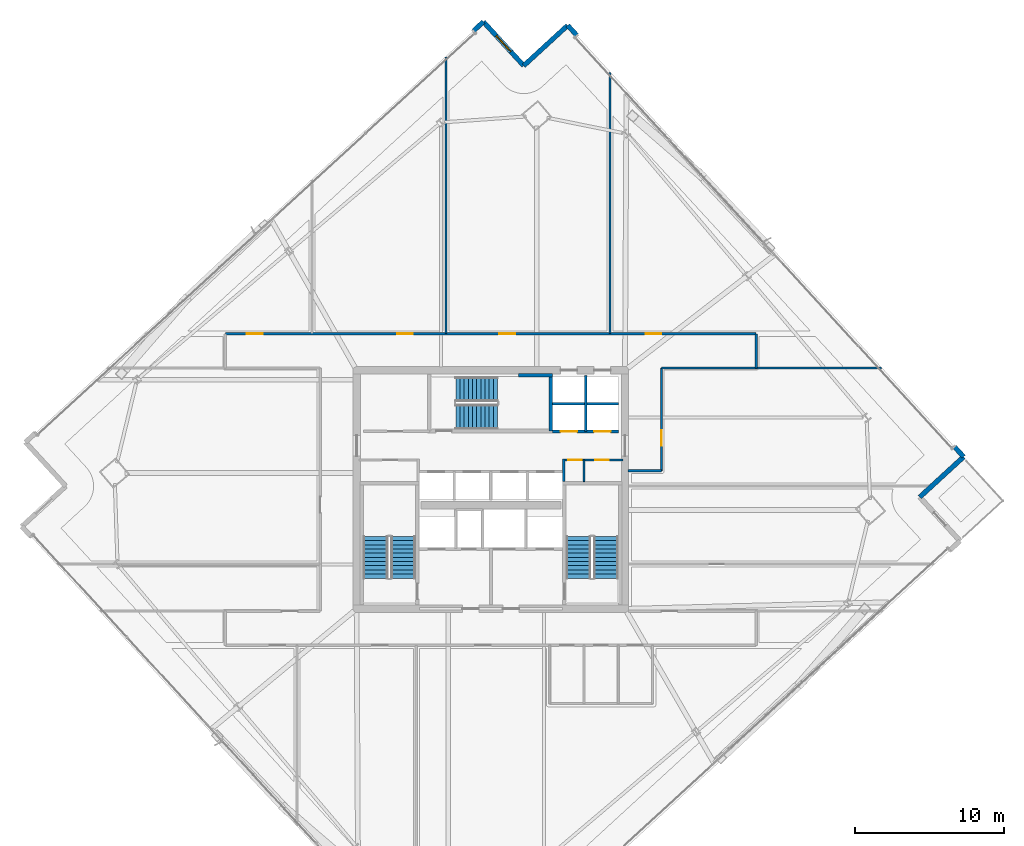
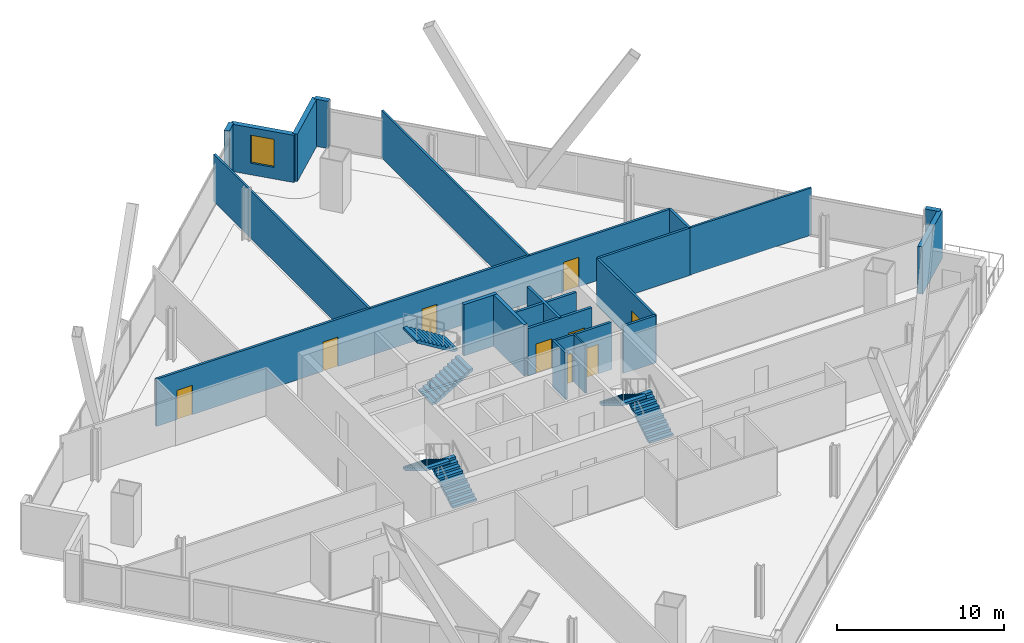
# One storey, part 27 of 32: 22 walls, 9 doors, 6 stair flights, 1 window, 10 openings, 3 elements without a shape of their own.
"""IFC4 building model written with IfcOpenShell, lengths in metres."""

import ifcopenshell
import ifcopenshell.guid

model = None  # the IFC model being written
_history = None  # IfcOwnerHistory: only IFC2X3 demands one
_inside = {}  # id of a spatial element -> (the spatial element, [elements in it])
_under = {}  # id of a project, library or spatial element -> (it, [spatial elements below it])
_declared = {}  # id of a project -> (the project, [libraries it declares])
_typed = {}  # id of a type object -> (the type object, [elements of that type])
_made_of = {}  # id of a material, layer set ... -> (it, [elements and type objects made of it])


def new_model(schema):
    """Start an empty IFC model of exactly this schema.

    Asked for "IFC4X3", IfcOpenShell would pick the latest addendum, in which some entities
    have other attributes; the version numbers below select the first issue.
    IFC2X3 requires an IfcOwnerHistory on every rooted entity: one is made here for all.
    """
    global model, _history
    if schema == "IFC4X3":
        model = ifcopenshell.file(schema_version=(4, 3, 0, 0))
    else:
        model = ifcopenshell.file(schema=schema)
    _inside.clear()
    _under.clear()
    _declared.clear()
    _typed.clear()
    _made_of.clear()
    _history = None
    if model.schema == "IFC2X3":
        org = make("IfcOrganization", Name="unknown")
        user = make(
            "IfcPersonAndOrganization",
            ThePerson=make("IfcPerson", FamilyName="unknown"),
            TheOrganization=org,
        )
        app = make(
            "IfcApplication",
            ApplicationDeveloper=org,
            Version="unknown",
            ApplicationFullName="unknown",
            ApplicationIdentifier="unknown",
        )
        _history = make(
            "IfcOwnerHistory",
            OwningUser=user,
            OwningApplication=app,
            ChangeAction="ADDED",
            CreationDate=0,
        )
    return model


def make(cls, **values):
    """One entity of the class cls with the attributes given. An attribute that is None is left unset."""
    return model.create_entity(
        cls, **{name: value for name, value in values.items() if value is not None}
    )


def rooted(cls, **values):
    """An entity with a GlobalId (a new one), such as an element, a storey or a relation."""
    return make(cls, GlobalId=ifcopenshell.guid.new(), OwnerHistory=_history, **values)


def si_unit(unit_type, name, prefix=None):
    """IfcSIUnit, for example si_unit("LENGTHUNIT", "METRE", prefix="MILLI")."""
    return make("IfcSIUnit", UnitType=unit_type, Prefix=prefix, Name=name)


def assignment(units):
    """IfcUnitAssignment: the units of a project."""
    return None if units is None else make("IfcUnitAssignment", Units=units)


def point(xyz):
    """IfcCartesianPoint."""
    return None if xyz is None else make("IfcCartesianPoint", Coordinates=xyz)


def direction(xyz):
    """IfcDirection."""
    return None if xyz is None else make("IfcDirection", DirectionRatios=xyz)


def frame(location, z_axis=None, x_axis=None):
    """IfcAxis2Placement3D, a coordinate frame: its origin and axes. An axis left out is left unset."""
    return make(
        "IfcAxis2Placement3D",
        Location=point(location),
        Axis=direction(z_axis),
        RefDirection=direction(x_axis),
    )


def frame_2d(location, x_axis=None):
    """IfcAxis2Placement2D, a coordinate frame in the plane: its origin and x axis."""
    return make(
        "IfcAxis2Placement2D", Location=point(location), RefDirection=direction(x_axis)
    )


def origin():
    """The frame at (0, 0, 0) with its axes left unset."""
    return frame((0.0, 0.0, 0.0))


def place(relative_to, where):
    """IfcLocalPlacement: puts the frame where relative to a parent placement (None: the world)."""
    return make(
        "IfcLocalPlacement", PlacementRelTo=relative_to, RelativePlacement=where
    )


def context(
    kind, dimensions, precision=None, world=None, true_north=None, identifier=None
):
    """IfcGeometricRepresentationContext, for example the 3D "Model" context."""
    return make(
        "IfcGeometricRepresentationContext",
        ContextIdentifier=identifier,
        ContextType=kind,
        CoordinateSpaceDimension=dimensions,
        Precision=precision,
        WorldCoordinateSystem=world,
        TrueNorth=true_north,
    )


def subcontext(parent, identifier, kind, view, scale=None):
    """IfcGeometricRepresentationSubContext, for example "Body" below "Model"."""
    return make(
        "IfcGeometricRepresentationSubContext",
        ContextIdentifier=identifier,
        ContextType=kind,
        ParentContext=parent,
        TargetScale=scale,
        TargetView=view,
    )


def project(units=None, contexts=None):
    """IfcProject with its units and contexts."""
    return rooted(
        "IfcProject",
        Name="project",
        RepresentationContexts=contexts,
        UnitsInContext=assignment(units),
    )


def spatial(cls, under=None, at=None, **own):
    """A site, building, storey or space (cls), placed at a placement, below another one or the project."""
    s = rooted(cls, ObjectPlacement=at, **own)
    if under is not None:
        _under.setdefault(under.id(), (under, []))[1].append(s)
    return s


def polyline(points):
    """IfcPolyline through the points."""
    return make("IfcPolyline", Points=[point(p) for p in points])


def profile(cls, at=None, kind="AREA", **sizes):
    """A parametric profile (cls). Its sizes go by their IFC names, for example OverallWidth=200.0."""
    return make(cls, ProfileType=kind, Position=at, **sizes)


def rectangle(**sizes):
    """IfcRectangleProfileDef."""
    return profile("IfcRectangleProfileDef", **sizes)


def outline(outer, holes=None, kind="AREA"):
    """IfcArbitraryClosedProfileDef: a profile drawn as a closed curve; with holes, ...WithVoids."""
    if holes is None:
        return make("IfcArbitraryClosedProfileDef", ProfileType=kind, OuterCurve=outer)
    return make(
        "IfcArbitraryProfileDefWithVoids",
        ProfileType=kind,
        OuterCurve=outer,
        InnerCurves=holes,
    )


def extrude(swept, where, along, depth):
    """IfcExtrudedAreaSolid: the profile swept, set in the frame where, extruded along a direction by depth."""
    return make(
        "IfcExtrudedAreaSolid",
        SweptArea=swept,
        Position=where,
        ExtrudedDirection=direction(along),
        Depth=depth,
    )


def shape(context_of_items, identifier, shape_type, items):
    """IfcShapeRepresentation: the items that make up one representation, for example the "Body"."""
    return make(
        "IfcShapeRepresentation",
        ContextOfItems=context_of_items,
        RepresentationIdentifier=identifier,
        RepresentationType=shape_type,
        Items=items,
    )


def material(Name=None, Category=None):
    """IfcMaterial."""
    return make("IfcMaterial", Name=Name, Category=Category)


def layer(
    of_material, thickness, ventilated=None, Name=None, Category=None, Priority=None
):
    """IfcMaterialLayer: one layer of a wall or slab, of a material (None: an air gap)."""
    return make(
        "IfcMaterialLayer",
        Material=of_material,
        LayerThickness=thickness,
        IsVentilated=ventilated,
        Name=Name,
        Category=Category,
        Priority=Priority,
    )


def layer_set(layers, Name=None):
    """IfcMaterialLayerSet."""
    return make("IfcMaterialLayerSet", MaterialLayers=layers, LayerSetName=Name)


def made_of(thing, what):
    """Note that an element or type object is made of a material, layer set ...; save() writes the relation."""
    if what is not None:
        _made_of.setdefault(what.id(), (what, []))[1].append(thing)
    return thing


def type_object(cls, material=None, **own):
    """A type object (cls), such as IfcWallType, which elements share."""
    return made_of(rooted(cls, **own), material)


def element(
    cls,
    number,
    at=None,
    inside=None,
    cuts=None,
    type_object=None,
    material=None,
    context=None,
    identifier="Body",
    shape_type=None,
    held_by="IfcProductDefinitionShape",
    body=None,
    shapes=None,
    **own,
):
    """One element of the class cls, such as IfcWall. Its Tag is "e" and its number.

    at: its placement. inside: the storey or other place that contains it. cuts: it is an
    opening in that element (IfcRelVoidsElement). A single representation is given by context,
    identifier, shape_type and body (its items); several are given by shapes. held_by: the class
    of the entity that holds the representations. save() writes the other relations.
    """
    e = rooted(cls, Tag="e%d" % number, ObjectPlacement=at, **own)
    if body is not None:
        shapes = [shape(context, identifier, shape_type, body)]
    if shapes is not None:
        e.Representation = make(held_by, Representations=shapes)
    if inside is not None:
        _inside.setdefault(inside.id(), (inside, []))[1].append(e)
    if cuts is not None:
        rooted(
            "IfcRelVoidsElement", RelatingBuildingElement=cuts, RelatedOpeningElement=e
        )
    if type_object is not None:
        _typed.setdefault(type_object.id(), (type_object, []))[1].append(e)
    return made_of(e, material)


def fill(opening, filler):
    """IfcRelFillsElement: the door or window that sits in an opening."""
    return rooted(
        "IfcRelFillsElement",
        RelatingOpeningElement=opening,
        RelatedBuildingElement=filler,
    )


def aggregate(whole, parts):
    """IfcRelAggregates: a whole, such as a stair, and the parts it consists of."""
    return rooted("IfcRelAggregates", RelatingObject=whole, RelatedObjects=parts)


def save(model, path):
    """Write the relations noted so far, then the file.

    IfcRelAggregates (storeys below a building ...), IfcRelContainedInSpatialStructure (elements
    in a storey), IfcRelDefinesByType, IfcRelAssociatesMaterial and IfcRelDeclares: one each for
    every whole, place, type object, material and project.
    """
    for whole, parts in _under.values():
        aggregate(whole, parts)
    for where, things in _inside.values():
        rooted(
            "IfcRelContainedInSpatialStructure",
            RelatedElements=things,
            RelatingStructure=where,
        )
    for kind, things in _typed.values():
        rooted("IfcRelDefinesByType", RelatedObjects=things, RelatingType=kind)
    for what, things in _made_of.values():
        rooted("IfcRelAssociatesMaterial", RelatedObjects=things, RelatingMaterial=what)
    for by, libraries in _declared.values():
        rooted("IfcRelDeclares", RelatingContext=by, RelatedDefinitions=libraries)
    model.write(path)


model = new_model("IFC4")

# Units and contexts
model_context = context("Model", 3, precision=1e-05, world=origin(), true_north=direction((0.0, 1.0)))
body_context = subcontext(model_context, "Body", "Model", "MODEL_VIEW")
ifc_project = project(units=[si_unit("LENGTHUNIT", "METRE"), si_unit("AREAUNIT", "SQUARE_METRE"), si_unit("VOLUMEUNIT", "CUBIC_METRE"), si_unit("PLANEANGLEUNIT", "RADIAN"), si_unit("MASSUNIT", "GRAM", prefix="KILO")], contexts=[model_context])

# Site, building, storey
site_placement = place(None, origin())
site = spatial("IfcSite", under=ifc_project, at=site_placement, CompositionType="ELEMENT")
building_placement = place(site_placement, origin())
building = spatial("IfcBuilding", under=site, at=building_placement, Name="Haldenkirk Collegiate Tower", CompositionType="ELEMENT")
storey_placement = place(building_placement, frame((0.0, 0.0, 170.699951171875)))
storey = spatial("IfcBuildingStorey", under=building, at=storey_placement, Name="L42", CompositionType="ELEMENT", Elevation=170.699951171875)

# Walls
ifc_material_1 = material(Name="Precast concrete f'c 40 MPa", Category="concrete")
ifc_layer_1 = layer(ifc_material_1, 0.320068359375)
ifc_layer_set_1 = layer_set([ifc_layer_1], Name="Precast concrete f'c 40 MPa")
wall_type_1 = type_object("IfcWallType", Name="WL-EXT-TWR-320", PredefinedType="STANDARD", material=ifc_layer_set_1)
wall_1_placement = place(storey_placement, frame((67.712890625, 28.19970703125, 0.0), z_axis=(0.0, 0.0, 1.0), x_axis=(-0.736644682502, -0.67627998029, 0.0)))
element("IfcWall", 1, at=wall_1_placement, inside=storey, type_object=wall_type_1, Name="L42 bronze precast notch wall 03", PredefinedType="STANDARD", context=body_context, shape_type="SweptSolid", body=[
    extrude(rectangle(XDim=4.0, YDim=0.320068359375, at=frame_2d((2.0, 0.0))), origin(), (0.0, 0.0, 1.0), 3.4599609375),
])
wall_2_placement = place(storey_placement, frame((41.15380859375, 57.133056640625, 0.0), z_axis=(0.0, 0.0, 1.0), x_axis=(0.676215791587, -0.736703606078, 0.0)))
element("IfcWall", 2, at=wall_2_placement, inside=storey, type_object=wall_type_1, Name="L42 precast corner pier EL", PredefinedType="STANDARD", context=body_context, shape_type="SweptSolid", body=[
    extrude(rectangle(XDim=0.900146484375, YDim=0.320068359375, at=frame_2d((0.4501953125, 0.0))), origin(), (0.0, 0.0, 1.0), 3.4599609375),
])
wall_3_placement = place(storey_placement, frame((67.1044921875, 28.862548828125, 0.0), z_axis=(0.0, 0.0, 1.0), x_axis=(0.676203699718, -0.736714704949, 0.0)))
element("IfcWall", 3, at=wall_3_placement, inside=storey, type_object=wall_type_1, Name="L42 precast corner pier ER", PredefinedType="STANDARD", context=body_context, shape_type="SweptSolid", body=[
    extrude(rectangle(XDim=0.899658203125, YDim=0.320068359375, at=frame_2d((0.44970703125, 0.0))), origin(), (0.0, 0.0, 1.0), 3.4599609375),
])
wall_4_placement = place(storey_placement, frame((38.207275390625, 54.427978515625, 0.0), z_axis=(0.0, 0.0, 1.0), x_axis=(0.736644682502, 0.67627998029, 0.0)))
element("IfcWall", 4, at=wall_4_placement, inside=storey, type_object=wall_type_1, Name="L42 bronze precast notch wall 05", PredefinedType="STANDARD", context=body_context, shape_type="SweptSolid", body=[
    extrude(rectangle(XDim=4.0, YDim=0.320068359375, at=frame_2d((2.0, 0.0))), origin(), (0.0, 0.0, 1.0), 3.4599609375),
])

# Wall, opening, window
wall_5_placement = place(storey_placement, frame((35.502197265625, 57.374755859375, 0.0), z_axis=(0.0, 0.0, 1.0), x_axis=(0.676249574236, -0.736672595761, 0.0)))
wall_5 = element("IfcWall", 5, at=wall_5_placement, inside=storey, type_object=wall_type_1, Name="L42 bronze precast notch wall 06", PredefinedType="STANDARD", context=body_context, shape_type="SweptSolid", body=[
    extrude(rectangle(XDim=4.0, YDim=0.320068359375, at=frame_2d((2.0, 0.0))), origin(), (0.0, 0.0, 1.0), 3.4599609375),
])
opening_1_placement = place(wall_5_placement, frame((1.27490234375, 0.0, 0.85009765625)))
opening_1 = element("IfcOpeningElement", 6, at=opening_1_placement, cuts=wall_5, Name="Opening W-05", PredefinedType="OPENING", context=body_context, shape_type="SweptSolid", body=[
    extrude(rectangle(XDim=1.449951171875, YDim=2.050048828125, at=frame_2d((0.72509765625, 1.02490234375))), frame((0.0, 0.169921875, 0.0), z_axis=(0.0, -1.0, 0.0), x_axis=(1.0, 0.0, 0.0)), (0.0, 0.0, 1.0), 0.340087890625),
])
ifc_material_2 = material(Name="Low-E argon triple insulating glass", Category="glass")
ifc_layer_2 = layer(ifc_material_2, 0.090087890625)
ifc_layer_set_2 = layer_set([ifc_layer_2], Name="Low-E argon triple insulating glass")
window_type = type_object("IfcWindowType", Name="WN-Z3-1450X2050", PartitioningType="SINGLE_PANEL", PredefinedType="WINDOW", material=ifc_layer_set_2)
window_placement = place(opening_1_placement, origin())
window = element("IfcWindow", 7, at=window_placement, inside=storey, type_object=window_type, Name="L42 precast-frame academic window 5", OverallHeight=2.050048828125, OverallWidth=1.449951171875, PartitioningType="SINGLE_PANEL", PredefinedType="WINDOW", context=body_context, shape_type="SweptSolid", body=[
    extrude(rectangle(XDim=1.449951171875, YDim=2.050048828125, at=frame_2d((0.72509765625, 1.02490234375))), frame((0.0, 0.030029296875, 0.0), z_axis=(0.0, -1.0, 0.0), x_axis=(1.0, 0.0, 0.0)), (0.0, 0.0, 1.0), 0.06005859375),
])
fill(opening_1, window)

# Wall
wall_6_placement = place(storey_placement, frame((34.83935546875, 56.76611328125, 0.0), z_axis=(0.0, 0.0, 1.0), x_axis=(0.736579536921, 0.676350933902, 0.0)))
element("IfcWall", 8, at=wall_6_placement, inside=storey, type_object=wall_type_1, Name="L42 precast corner pier NR", PredefinedType="STANDARD", context=body_context, shape_type="SweptSolid", body=[
    extrude(rectangle(XDim=0.89990234375, YDim=0.320068359375, at=frame_2d((0.449951171875, 0.0))), origin(), (0.0, 0.0, 1.0), 3.4599609375),
])

# Wall, openings, doors
ifc_material_3 = material(Name="Acoustic fire-rated gypsum partition", Category="concrete")
ifc_layer_3 = layer(ifc_material_3, 0.159912109375)
ifc_layer_set_3 = layer_set([ifc_layer_3], Name="Acoustic fire-rated gypsum partition")
wall_type_2 = type_object("IfcWallType", Name="WL-INT-CORR-160", PredefinedType="PARTITIONING", material=ifc_layer_set_3)
wall_7_placement = place(storey_placement, frame((40.800048828125, 27.97998046875, 0.0), z_axis=(0.0, 0.0, 1.0), x_axis=(1.0, 0.0, 0.0)))
wall_7 = element("IfcWall", 9, at=wall_7_placement, inside=storey, type_object=wall_type_2, Name="L42 interior partition IW-L42-VCSE-N", PredefinedType="PARTITIONING", context=body_context, shape_type="SweptSolid", body=[
    extrude(rectangle(XDim=4.050048828125, YDim=0.159912109375, at=frame_2d((2.02490234375, 0.0))), origin(), (0.0, 0.0, 1.0), 3.4599609375),
])
opening_2_placement = place(wall_7_placement, frame((0.407470703125, 0.0, 0.0)))
opening_2 = element("IfcOpeningElement", 10, at=opening_2_placement, cuts=wall_7, Name="Opening D-11", PredefinedType="OPENING", context=body_context, shape_type="SweptSolid", body=[
    extrude(rectangle(XDim=0.89990234375, YDim=2.14990234375, at=frame_2d((0.449951171875, 1.074951171875))), frame((0.0, 0.08984375, 0.0), z_axis=(0.0, -1.0, 0.0), x_axis=(1.0, 0.0, 0.0)), (0.0, 0.0, 1.0), 0.179931640625),
])
opening_3_placement = place(wall_7_placement, frame((2.199951171875, 0.0, 0.0)))
opening_3 = element("IfcOpeningElement", 11, at=opening_3_placement, cuts=wall_7, Name="Opening D-11", PredefinedType="OPENING", context=body_context, shape_type="SweptSolid", body=[
    extrude(rectangle(XDim=0.89990234375, YDim=2.14990234375, at=frame_2d((0.449951171875, 1.074951171875))), frame((0.0, 0.08984375, 0.0), z_axis=(0.0, -1.0, 0.0), x_axis=(1.0, 0.0, 0.0)), (0.0, 0.0, 1.0), 0.179931640625),
])
ifc_material_4 = material(Name="Solid-core architectural oak fire door", Category="wood")
ifc_layer_4 = layer(ifc_material_4, 0.06005859375)
ifc_layer_set_4 = layer_set([ifc_layer_4], Name="Solid-core architectural oak fire door")
door_type_1 = type_object("IfcDoorType", Name="DR-INT-FD60-900", OperationType="NOTDEFINED", PredefinedType="DOOR", material=ifc_layer_set_4)
door_1_placement = place(opening_2_placement, origin())
door_1 = element("IfcDoor", 12, at=door_1_placement, inside=storey, type_object=door_type_1, Name="L42 core copy room door", OperationType="SINGLE_SWING_LEFT", OverallHeight=2.14990234375, OverallWidth=0.89990234375, PredefinedType="DOOR", context=body_context, shape_type="SweptSolid", body=[
    extrude(rectangle(XDim=0.89990234375, YDim=2.14990234375, at=frame_2d((0.449951171875, 1.074951171875))), frame((0.0, 0.02490234375, 0.0), z_axis=(0.0, -1.0, 0.0), x_axis=(1.0, 0.0, 0.0)), (0.0, 0.0, 1.0), 0.050048828125),
])
fill(opening_2, door_1)
door_2_placement = place(opening_3_placement, origin())
door_2 = element("IfcDoor", 13, at=door_2_placement, inside=storey, type_object=door_type_1, Name="L42 core records store door", OperationType="SINGLE_SWING_RIGHT", OverallHeight=2.14990234375, OverallWidth=0.89990234375, PredefinedType="DOOR", context=body_context, shape_type="SweptSolid", body=[
    extrude(rectangle(XDim=0.89990234375, YDim=2.14990234375, at=frame_2d((0.449951171875, 1.074951171875))), frame((0.0, 0.02490234375, 0.0), z_axis=(0.0, -1.0, 0.0), x_axis=(1.0, 0.0, 0.0)), (0.0, 0.0, 1.0), 0.050048828125),
])
fill(opening_3, door_2)

# Wall
wall_8_placement = place(storey_placement, frame((40.8798828125, 26.5400390625, 0.0), z_axis=(0.0, 0.0, 1.0), x_axis=(0.0, 1.0, 0.0)))
element("IfcWall", 14, at=wall_8_placement, inside=storey, type_object=wall_type_2, Name="L42 interior partition IW-L42-VCSE-W", PredefinedType="PARTITIONING", context=body_context, shape_type="SweptSolid", body=[
    extrude(rectangle(XDim=1.510009765625, YDim=0.159912109375, at=frame_2d((0.7548828125, 0.0))), origin(), (0.0, 0.0, 1.0), 3.4599609375),
])

# Wall, openings, doors
wall_9_placement = place(storey_placement, frame((18.199951171875, 36.449951171875, 0.0), z_axis=(0.0, 0.0, 1.0), x_axis=(1.0, 0.0, 0.0)))
wall_9 = element("IfcWall", 15, at=wall_9_placement, inside=storey, type_object=wall_type_2, Name="L42 interior partition IW-L42-CN", PredefinedType="PARTITIONING", context=body_context, shape_type="SweptSolid", body=[
    extrude(rectangle(XDim=35.60009765625, YDim=0.159912109375, at=frame_2d((17.800048828125, 0.0))), origin(), (0.0, 0.0, 1.0), 3.4599609375),
])
opening_4_placement = place(wall_9_placement, frame((1.43701171875, 0.0, 0.0)))
opening_4 = element("IfcOpeningElement", 16, at=opening_4_placement, cuts=wall_9, Name="Opening D-09", PredefinedType="OPENING", context=body_context, shape_type="SweptSolid", body=[
    extrude(rectangle(XDim=1.050048828125, YDim=2.14990234375, at=frame_2d((0.52490234375, 1.074951171875))), frame((0.0, 0.08984375, 0.0), z_axis=(0.0, -1.0, 0.0), x_axis=(1.0, 0.0, 0.0)), (0.0, 0.0, 1.0), 0.179931640625),
])
opening_5_placement = place(wall_9_placement, frame((11.514892578125, 0.0, 0.0)))
opening_5 = element("IfcOpeningElement", 17, at=opening_5_placement, cuts=wall_9, Name="Opening D-09", PredefinedType="OPENING", context=body_context, shape_type="SweptSolid", body=[
    extrude(rectangle(XDim=1.050048828125, YDim=2.14990234375, at=frame_2d((0.52490234375, 1.074951171875))), frame((0.0, 0.08984375, 0.0), z_axis=(0.0, -1.0, 0.0), x_axis=(1.0, 0.0, 0.0)), (0.0, 0.0, 1.0), 0.179931640625),
])
opening_6_placement = place(wall_9_placement, frame((18.375, 0.0, 0.0)))
opening_6 = element("IfcOpeningElement", 18, at=opening_6_placement, cuts=wall_9, Name="Opening D-09", PredefinedType="OPENING", context=body_context, shape_type="SweptSolid", body=[
    extrude(rectangle(XDim=1.050048828125, YDim=2.14990234375, at=frame_2d((0.52490234375, 1.074951171875))), frame((0.0, 0.08984375, 0.0), z_axis=(0.0, -1.0, 0.0), x_axis=(1.0, 0.0, 0.0)), (0.0, 0.0, 1.0), 0.179931640625),
])
opening_7_placement = place(wall_9_placement, frame((28.18505859375, 0.0, 0.0)))
opening_7 = element("IfcOpeningElement", 19, at=opening_7_placement, cuts=wall_9, Name="Opening D-09", PredefinedType="OPENING", context=body_context, shape_type="SweptSolid", body=[
    extrude(rectangle(XDim=1.050048828125, YDim=2.14990234375, at=frame_2d((0.52490234375, 1.074951171875))), frame((0.0, 0.08984375, 0.0), z_axis=(0.0, -1.0, 0.0), x_axis=(1.0, 0.0, 0.0)), (0.0, 0.0, 1.0), 0.179931640625),
])
ifc_layer_5 = layer(ifc_material_4, 0.06005859375)
ifc_layer_set_5 = layer_set([ifc_layer_5], Name="Solid-core architectural oak fire door")
door_type_2 = type_object("IfcDoorType", Name="DR-INT-FD60-1050", OperationType="NOTDEFINED", PredefinedType="DOOR", material=ifc_layer_set_5)
door_3_placement = place(opening_4_placement, origin())
door_3 = element("IfcDoor", 20, at=door_3_placement, inside=storey, type_object=door_type_2, Name="L42 Case Method Seminar Room 4 door", OperationType="SINGLE_SWING_RIGHT", OverallHeight=2.14990234375, OverallWidth=1.050048828125, PredefinedType="DOOR", context=body_context, shape_type="SweptSolid", body=[
    extrude(rectangle(XDim=1.050048828125, YDim=2.14990234375, at=frame_2d((0.52490234375, 1.074951171875))), frame((0.0, 0.02490234375, 0.0), z_axis=(0.0, -1.0, 0.0), x_axis=(1.0, 0.0, 0.0)), (0.0, 0.0, 1.0), 0.050048828125),
])
fill(opening_4, door_3)
door_4_placement = place(opening_5_placement, origin())
door_4 = element("IfcDoor", 21, at=door_4_placement, inside=storey, type_object=door_type_2, Name="L42 Breakout Conference Room 5 door", OperationType="SINGLE_SWING_LEFT", OverallHeight=2.14990234375, OverallWidth=1.050048828125, PredefinedType="DOOR", context=body_context, shape_type="SweptSolid", body=[
    extrude(rectangle(XDim=1.050048828125, YDim=2.14990234375, at=frame_2d((0.52490234375, 1.074951171875))), frame((0.0, 0.02490234375, 0.0), z_axis=(0.0, -1.0, 0.0), x_axis=(1.0, 0.0, 0.0)), (0.0, 0.0, 1.0), 0.050048828125),
])
fill(opening_5, door_4)
door_5_placement = place(opening_6_placement, origin())
door_5 = element("IfcDoor", 22, at=door_5_placement, inside=storey, type_object=door_type_2, Name="L42 Critique Seminar Room 6 door", OperationType="SINGLE_SWING_RIGHT", OverallHeight=2.14990234375, OverallWidth=1.050048828125, PredefinedType="DOOR", context=body_context, shape_type="SweptSolid", body=[
    extrude(rectangle(XDim=1.050048828125, YDim=2.14990234375, at=frame_2d((0.52490234375, 1.074951171875))), frame((0.0, 0.02490234375, 0.0), z_axis=(0.0, -1.0, 0.0), x_axis=(1.0, 0.0, 0.0)), (0.0, 0.0, 1.0), 0.050048828125),
])
fill(opening_6, door_5)
door_6_placement = place(opening_7_placement, origin())
door_6 = element("IfcDoor", 23, at=door_6_placement, inside=storey, type_object=door_type_2, Name="L42 Collegiate Commons Lounge 7 door", OperationType="SINGLE_SWING_LEFT", OverallHeight=2.14990234375, OverallWidth=1.050048828125, PredefinedType="DOOR", context=body_context, shape_type="SweptSolid", body=[
    extrude(rectangle(XDim=1.050048828125, YDim=2.14990234375, at=frame_2d((0.52490234375, 1.074951171875))), frame((0.0, 0.02490234375, 0.0), z_axis=(0.0, -1.0, 0.0), x_axis=(1.0, 0.0, 0.0)), (0.0, 0.0, 1.0), 0.050048828125),
])
fill(opening_7, door_6)

# Wall
wall_10_placement = place(storey_placement, frame((47.449951171875, 34.14990234375, 0.0), z_axis=(0.0, 0.0, 1.0), x_axis=(1.0, 0.0, 0.0)))
element("IfcWall", 24, at=wall_10_placement, inside=storey, type_object=wall_type_2, Name="L42 interior partition IW-L42-CNE", PredefinedType="PARTITIONING", context=body_context, shape_type="SweptSolid", body=[
    extrude(rectangle(XDim=6.35009765625, YDim=0.159912109375, at=frame_2d((3.175048828125, 0.0))), origin(), (0.0, 0.0, 1.0), 3.4599609375),
])

# Wall, opening, door
wall_11_placement = place(storey_placement, frame((47.449951171875, 27.25, 0.0), z_axis=(0.0, 0.0, 1.0), x_axis=(0.0, 1.0, 0.0)))
wall_11 = element("IfcWall", 25, at=wall_11_placement, inside=storey, type_object=wall_type_2, Name="L42 interior partition IW-L42-CE", PredefinedType="PARTITIONING", context=body_context, shape_type="SweptSolid", body=[
    extrude(rectangle(XDim=6.89990234375, YDim=0.159912109375, at=frame_2d((3.449951171875, 0.0))), origin(), (0.0, 0.0, 1.0), 3.4599609375),
])
opening_8_placement = place(wall_11_placement, frame((1.68310546875, 0.0, 0.0)))
opening_8 = element("IfcOpeningElement", 26, at=opening_8_placement, cuts=wall_11, Name="Opening D-09", PredefinedType="OPENING", context=body_context, shape_type="SweptSolid", body=[
    extrude(rectangle(XDim=1.050048828125, YDim=2.14990234375, at=frame_2d((0.52490234375, 1.074951171875))), frame((0.0, 0.08984375, 0.0), z_axis=(0.0, -1.0, 0.0), x_axis=(1.0, 0.0, 0.0)), (0.0, 0.0, 1.0), 0.179931640625),
])
door_7_placement = place(opening_8_placement, origin())
door_7 = element("IfcDoor", 27, at=door_7_placement, inside=storey, type_object=door_type_2, Name="L42 Critique Seminar Room 12 door", OperationType="SINGLE_SWING_RIGHT", OverallHeight=2.14990234375, OverallWidth=1.050048828125, PredefinedType="DOOR", context=body_context, shape_type="SweptSolid", body=[
    extrude(rectangle(XDim=1.050048828125, YDim=2.14990234375, at=frame_2d((0.52490234375, 1.074951171875))), frame((0.0, 0.02490234375, 0.0), z_axis=(0.0, -1.0, 0.0), x_axis=(1.0, 0.0, 0.0)), (0.0, 0.0, 1.0), 0.050048828125),
])
fill(opening_8, door_7)

# Walls
wall_12_placement = place(storey_placement, frame((45.199951171875, 27.25, 0.0), z_axis=(0.0, 0.0, 1.0), x_axis=(1.0, 0.0, 0.0)))
element("IfcWall", 28, at=wall_12_placement, inside=storey, type_object=wall_type_2, Name="L42 interior partition IW-L42-CES", PredefinedType="PARTITIONING", context=body_context, shape_type="SweptSolid", body=[
    extrude(rectangle(XDim=2.25, YDim=0.159912109375, at=frame_2d((1.125, 0.0))), origin(), (0.0, 0.0, 1.0), 3.4599609375),
])
wall_13_placement = place(storey_placement, frame((53.800048828125, 34.14990234375, 0.0), z_axis=(0.0, 0.0, 1.0), x_axis=(0.0, 1.0, 0.0)))
element("IfcWall", 29, at=wall_13_placement, inside=storey, type_object=wall_type_2, Name="L42 interior partition IW-L42-CNR", PredefinedType="PARTITIONING", context=body_context, shape_type="SweptSolid", body=[
    extrude(rectangle(XDim=2.300048828125, YDim=0.159912109375, at=frame_2d((1.14990234375, 0.0))), origin(), (0.0, 0.0, 1.0), 3.4599609375),
])
ifc_layer_6 = layer(ifc_material_3, 0.139892578125)
ifc_layer_set_6 = layer_set([ifc_layer_6], Name="Acoustic fire-rated gypsum partition")
wall_type_3 = type_object("IfcWallType", Name="WL-INT-DIV-140", PredefinedType="PARTITIONING", material=ifc_layer_set_6)
wall_14_placement = place(storey_placement, frame((53.800048828125, 34.14990234375, 0.0), z_axis=(0.0, 0.0, 1.0), x_axis=(1.0, 0.0, 0.0)))
element("IfcWall", 30, at=wall_14_placement, inside=storey, type_object=wall_type_3, Name="L42 interior partition IW-L42-BEN", PredefinedType="PARTITIONING", context=body_context, shape_type="SweptSolid", body=[
    extrude(rectangle(XDim=8.396484375, YDim=0.139892578125, at=frame_2d((4.1982421875, 0.0))), origin(), (0.0, 0.0, 1.0), 3.4599609375),
])
wall_15_placement = place(storey_placement, frame((33.0, 36.449951171875, 0.0), z_axis=(0.0, 0.0, 1.0), x_axis=(0.0, 1.0, 0.0)))
element("IfcWall", 31, at=wall_15_placement, inside=storey, type_object=wall_type_3, Name="L42 interior partition IW-L42-RN2", PredefinedType="PARTITIONING", context=body_context, shape_type="SweptSolid", body=[
    extrude(rectangle(XDim=18.57373046875, YDim=0.139892578125, at=frame_2d((9.286865234375, 0.0))), origin(), (0.0, 0.0, 1.0), 3.4599609375),
])
wall_16_placement = place(storey_placement, frame((44.0, 36.449951171875, 0.0), z_axis=(0.0, 0.0, 1.0), x_axis=(0.0, 1.0, 0.0)))
element("IfcWall", 32, at=wall_16_placement, inside=storey, type_object=wall_type_3, Name="L42 interior partition IW-L42-RN3", PredefinedType="PARTITIONING", context=body_context, shape_type="SweptSolid", body=[
    extrude(rectangle(XDim=17.5234375, YDim=0.139892578125, at=frame_2d((8.76171875, 0.0))), origin(), (0.0, 0.0, 1.0), 3.4599609375),
])

# Wall, openings, doors
ifc_material_5 = material(Name="Fire-rated gypsum shaftboard assembly", Category="concrete")
ifc_layer_7 = layer(ifc_material_5, 0.179931640625)
ifc_layer_set_7 = layer_set([ifc_layer_7], Name="Fire-rated gypsum shaftboard assembly")
wall_type_4 = type_object("IfcWallType", Name="WL-INT-SHAFT-180", PredefinedType="PARTITIONING", material=ifc_layer_set_7)
wall_17_placement = place(storey_placement, frame((40.1201171875, 29.89990234375, 0.0), z_axis=(0.0, 0.0, 1.0), x_axis=(1.0, 0.0, 0.0)))
wall_17 = element("IfcWall", 33, at=wall_17_placement, inside=storey, type_object=wall_type_4, Name="L42 interior partition IW-L42-PMS", PredefinedType="PARTITIONING", context=body_context, shape_type="SweptSolid", body=[
    extrude(rectangle(XDim=4.429931640625, YDim=0.179931640625, at=frame_2d((2.21484375, 0.0))), origin(), (0.0, 0.0, 1.0), 3.4599609375),
])
opening_9_placement = place(wall_17_placement, frame((0.56494140625, 0.0, 0.0)))
opening_9 = element("IfcOpeningElement", 34, at=opening_9_placement, cuts=wall_17, Name="Opening LD-11", PredefinedType="OPENING", context=body_context, shape_type="SweptSolid", body=[
    extrude(rectangle(XDim=1.10009765625, YDim=2.14990234375, at=frame_2d((0.550048828125, 1.074951171875))), frame((0.0, 0.099853515625, 0.0), z_axis=(0.0, -1.0, 0.0), x_axis=(1.0, 0.0, 0.0)), (0.0, 0.0, 1.0), 0.199951171875),
])
opening_10_placement = place(wall_17_placement, frame((2.81494140625, 0.0, 0.0)))
opening_10 = element("IfcOpeningElement", 35, at=opening_10_placement, cuts=wall_17, Name="Opening LD-11", PredefinedType="OPENING", context=body_context, shape_type="SweptSolid", body=[
    extrude(rectangle(XDim=1.10009765625, YDim=2.14990234375, at=frame_2d((0.550048828125, 1.074951171875))), frame((0.0, 0.099853515625, 0.0), z_axis=(0.0, -1.0, 0.0), x_axis=(1.0, 0.0, 0.0)), (0.0, 0.0, 1.0), 0.199951171875),
])
ifc_material_6 = material(Name="Brushed architectural stainless steel", Category="steel")
ifc_layer_8 = layer(ifc_material_6, 0.06005859375)
ifc_layer_set_8 = layer_set([ifc_layer_8], Name="Brushed architectural stainless steel")
door_type_3 = type_object("IfcDoorType", Name="LD-PASS-1100", OperationType="NOTDEFINED", PredefinedType="DOOR", material=ifc_layer_set_8)
door_8_placement = place(opening_9_placement, origin())
door_8 = element("IfcDoor", 36, at=door_8_placement, inside=storey, type_object=door_type_3, Name="L42 Elevator PM1 sliding landing door", OperationType="SLIDING_TO_LEFT", OverallHeight=2.14990234375, OverallWidth=1.10009765625, PredefinedType="DOOR", context=body_context, shape_type="SweptSolid", body=[
    extrude(rectangle(XDim=1.10009765625, YDim=2.14990234375, at=frame_2d((0.550048828125, 1.074951171875))), frame((0.0, 0.02490234375, 0.0), z_axis=(0.0, -1.0, 0.0), x_axis=(1.0, 0.0, 0.0)), (0.0, 0.0, 1.0), 0.050048828125),
])
fill(opening_9, door_8)
door_9_placement = place(opening_10_placement, origin())
door_9 = element("IfcDoor", 37, at=door_9_placement, inside=storey, type_object=door_type_3, Name="L42 Elevator PM2 sliding landing door", OperationType="SLIDING_TO_LEFT", OverallHeight=2.14990234375, OverallWidth=1.10009765625, PredefinedType="DOOR", context=body_context, shape_type="SweptSolid", body=[
    extrude(rectangle(XDim=1.10009765625, YDim=2.14990234375, at=frame_2d((0.550048828125, 1.074951171875))), frame((0.0, 0.02490234375, 0.0), z_axis=(0.0, -1.0, 0.0), x_axis=(1.0, 0.0, 0.0)), (0.0, 0.0, 1.0), 0.050048828125),
])
fill(opening_10, door_9)

# Walls
wall_18_placement = place(storey_placement, frame((40.1201171875, 31.75, 0.0), z_axis=(0.0, 0.0, 1.0), x_axis=(1.0, 0.0, 0.0)))
element("IfcWall", 38, at=wall_18_placement, inside=storey, type_object=wall_type_4, Name="L42 interior partition IW-L42-PMM", PredefinedType="PARTITIONING", context=body_context, shape_type="SweptSolid", body=[
    extrude(rectangle(XDim=4.429931640625, YDim=0.179931640625, at=frame_2d((2.21484375, 0.0))), origin(), (0.0, 0.0, 1.0), 3.4599609375),
])
wall_19_placement = place(storey_placement, frame((42.3701171875, 29.89990234375, 0.0), z_axis=(0.0, 0.0, 1.0), x_axis=(0.0, 1.0, 0.0)))
element("IfcWall", 39, at=wall_19_placement, inside=storey, type_object=wall_type_4, Name="L42 interior partition IW-L42-PMV", PredefinedType="PARTITIONING", context=body_context, shape_type="SweptSolid", body=[
    extrude(rectangle(XDim=3.75, YDim=0.179931640625, at=frame_2d((1.875, 0.0))), origin(), (0.0, 0.0, 1.0), 3.4599609375),
])
ifc_layer_9 = layer(ifc_material_3, 0.1201171875)
ifc_layer_set_9 = layer_set([ifc_layer_9], Name="Acoustic fire-rated gypsum partition")
wall_type_5 = type_object("IfcWallType", Name="WL-INT-WET-120", PredefinedType="PARTITIONING", material=ifc_layer_set_9)
wall_20_placement = place(storey_placement, frame((42.25, 26.5400390625, 0.0), z_axis=(0.0, 0.0, 1.0), x_axis=(0.0, 1.0, 0.0)))
element("IfcWall", 40, at=wall_20_placement, inside=storey, type_object=wall_type_5, Name="L42 interior partition IW-L42-VCSE-M", PredefinedType="PARTITIONING", context=body_context, shape_type="SweptSolid", body=[
    extrude(rectangle(XDim=1.43994140625, YDim=0.1201171875, at=frame_2d((0.719970703125, 0.0))), origin(), (0.0, 0.0, 1.0), 3.4599609375),
])
ifc_material_7 = material(Name="Concrete f'c 55 MPa", Category="concrete")
ifc_layer_10 = layer(ifc_material_7, 0.239990234375)
ifc_layer_set_10 = layer_set([ifc_layer_10], Name="Concrete f'c 55 MPa")
wall_type_6 = type_object("IfcWallType", Name="WL-SHAFT-240", PredefinedType="SHEAR", material=ifc_layer_set_10)
wall_21_placement = place(storey_placement, frame((40.02001953125, 29.929931640625, 0.0), z_axis=(0.0, 0.0, 1.0), x_axis=(0.0, 1.0, 0.0)))
element("IfcWall", 41, at=wall_21_placement, inside=storey, type_object=wall_type_6, Name="L42 stair shaft shear wall SW-L42-ST3E", PredefinedType="SHEAR", context=body_context, shape_type="SweptSolid", body=[
    extrude(rectangle(XDim=3.85009765625, YDim=0.239990234375, at=frame_2d((1.925048828125, 0.0))), origin(), (0.0, 0.0, 1.0), 3.75),
])
wall_22_placement = place(storey_placement, frame((37.85009765625, 33.659912109375, 0.0), z_axis=(0.0, 0.0, 1.0), x_axis=(1.0, 0.0, 0.0)))
element("IfcWall", 42, at=wall_22_placement, inside=storey, type_object=wall_type_6, Name="L42 stair shaft shear wall SW-L42-ST3N", PredefinedType="SHEAR", context=body_context, shape_type="SweptSolid", body=[
    extrude(rectangle(XDim=2.289794921875, YDim=0.239990234375, at=frame_2d((1.14501953125, 0.0))), origin(), (0.0, 0.0, 1.0), 3.75),
])

# Stair, stair flights
ifc_material_8 = material(Name="Concrete f'c 40 MPa", Category="concrete")
stair_type = type_object("IfcStairType", Name="STR-DOGLEG-1650", PredefinedType="HALF_TURN_STAIR", material=ifc_material_8)
stair_1_placement = place(storey_placement, origin())
stair_1 = element("IfcStair", 43, at=stair_1_placement, inside=storey, type_object=stair_type, Name="L42 Core Exit Stair ST-1", PredefinedType="HALF_TURN_STAIR")
stair_flight_type = type_object("IfcStairFlightType", Name="STF-FLIGHT-1650", PredefinedType="STRAIGHT", material=ifc_material_8)
stair_flight_1_placement = place(storey_placement, frame((30.125, 20.050048828125, 0.0), z_axis=(0.0, 0.0, 1.0), x_axis=(0.0, 1.0, 0.0)))
stair_flight_1 = element("IfcStairFlight", 44, at=stair_flight_1_placement, type_object=stair_flight_type, Name="ST-1 flight 1", NumberOfRisers=11, NumberOfTreads=10, PredefinedType="STRAIGHT", RiserHeight=0.170454545, TreadLength=0.28, context=body_context, shape_type="SweptSolid", body=[
    extrude(outline(polyline([(0.0, 0.0), (0.0, 0.17041015625), (0.280029296875, 0.17041015625), (0.280029296875, 0.3408203125), (0.56005859375, 0.3408203125), (0.56005859375, 0.511474609375), (0.840087890625, 0.511474609375), (0.840087890625, 0.681884765625), (1.1201171875, 0.681884765625), (1.1201171875, 0.852294921875), (1.39990234375, 0.852294921875), (1.39990234375, 1.022705078125), (1.679931640625, 1.022705078125), (1.679931640625, 1.193115234375), (1.9599609375, 1.193115234375), (1.9599609375, 1.363525390625), (2.239990234375, 1.363525390625), (2.239990234375, 1.5341796875), (2.52001953125, 1.5341796875), (2.52001953125, 1.70458984375), (2.800048828125, 1.70458984375), (2.800048828125, 1.875), (2.800048828125, 1.529052734375), (0.288330078125, 0.0), (0.0, 0.0)])), frame((0.0, 0.824951171875, 0.0), z_axis=(0.0, -1.0, 0.0), x_axis=(1.0, 0.0, 0.0)), (0.0, 0.0, 1.0), 1.64990234375),
])
stair_flight_2_placement = place(storey_placement, frame((28.27490234375, 22.85009765625, 1.875), z_axis=(0.0, 0.0, 1.0), x_axis=(0.0, -1.0, 0.0)))
stair_flight_2 = element("IfcStairFlight", 45, at=stair_flight_2_placement, type_object=stair_flight_type, Name="ST-1 flight 2", NumberOfRisers=11, NumberOfTreads=10, PredefinedType="STRAIGHT", RiserHeight=0.170454545, TreadLength=0.28, context=body_context, shape_type="SweptSolid", body=[
    extrude(outline(polyline([(0.0, 0.0), (0.0, 0.17041015625), (0.280029296875, 0.17041015625), (0.280029296875, 0.3408203125), (0.56005859375, 0.3408203125), (0.56005859375, 0.511474609375), (0.840087890625, 0.511474609375), (0.840087890625, 0.681884765625), (1.1201171875, 0.681884765625), (1.1201171875, 0.852294921875), (1.39990234375, 0.852294921875), (1.39990234375, 1.022705078125), (1.679931640625, 1.022705078125), (1.679931640625, 1.193115234375), (1.9599609375, 1.193115234375), (1.9599609375, 1.363525390625), (2.239990234375, 1.363525390625), (2.239990234375, 1.5341796875), (2.52001953125, 1.5341796875), (2.52001953125, 1.70458984375), (2.800048828125, 1.70458984375), (2.800048828125, 1.875), (2.800048828125, 1.529052734375), (0.288330078125, 0.0), (0.0, 0.0)])), frame((0.0, 0.824951171875, 0.0), z_axis=(0.0, -1.0, 0.0), x_axis=(1.0, 0.0, 0.0)), (0.0, 0.0, 1.0), 1.64990234375),
])
aggregate(stair_1, [stair_flight_1, stair_flight_2])

stair_2_placement = place(storey_placement, origin())
stair_2 = element("IfcStair", 46, at=stair_2_placement, inside=storey, type_object=stair_type, Name="L42 Core Exit Stair ST-2", PredefinedType="HALF_TURN_STAIR")
stair_flight_3_placement = place(storey_placement, frame((43.72509765625, 20.050048828125, 0.0), z_axis=(0.0, 0.0, 1.0), x_axis=(0.0, 1.0, 0.0)))
stair_flight_3 = element("IfcStairFlight", 47, at=stair_flight_3_placement, type_object=stair_flight_type, Name="ST-2 flight 1", NumberOfRisers=11, NumberOfTreads=10, PredefinedType="STRAIGHT", RiserHeight=0.170454545, TreadLength=0.28, context=body_context, shape_type="SweptSolid", body=[
    extrude(outline(polyline([(0.0, 0.0), (0.0, 0.17041015625), (0.280029296875, 0.17041015625), (0.280029296875, 0.3408203125), (0.56005859375, 0.3408203125), (0.56005859375, 0.511474609375), (0.840087890625, 0.511474609375), (0.840087890625, 0.681884765625), (1.1201171875, 0.681884765625), (1.1201171875, 0.852294921875), (1.39990234375, 0.852294921875), (1.39990234375, 1.022705078125), (1.679931640625, 1.022705078125), (1.679931640625, 1.193115234375), (1.9599609375, 1.193115234375), (1.9599609375, 1.363525390625), (2.239990234375, 1.363525390625), (2.239990234375, 1.5341796875), (2.52001953125, 1.5341796875), (2.52001953125, 1.70458984375), (2.800048828125, 1.70458984375), (2.800048828125, 1.875), (2.800048828125, 1.529052734375), (0.288330078125, 0.0), (0.0, 0.0)])), frame((0.0, 0.824951171875, 0.0), z_axis=(0.0, -1.0, 0.0), x_axis=(1.0, 0.0, 0.0)), (0.0, 0.0, 1.0), 1.64990234375),
])
stair_flight_4_placement = place(storey_placement, frame((41.875, 22.85009765625, 1.875), z_axis=(0.0, 0.0, 1.0), x_axis=(0.0, -1.0, 0.0)))
stair_flight_4 = element("IfcStairFlight", 48, at=stair_flight_4_placement, type_object=stair_flight_type, Name="ST-2 flight 2", NumberOfRisers=11, NumberOfTreads=10, PredefinedType="STRAIGHT", RiserHeight=0.170454545, TreadLength=0.28, context=body_context, shape_type="SweptSolid", body=[
    extrude(outline(polyline([(0.0, 0.0), (0.0, 0.17041015625), (0.280029296875, 0.17041015625), (0.280029296875, 0.3408203125), (0.56005859375, 0.3408203125), (0.56005859375, 0.511474609375), (0.840087890625, 0.511474609375), (0.840087890625, 0.681884765625), (1.1201171875, 0.681884765625), (1.1201171875, 0.852294921875), (1.39990234375, 0.852294921875), (1.39990234375, 1.022705078125), (1.679931640625, 1.022705078125), (1.679931640625, 1.193115234375), (1.9599609375, 1.193115234375), (1.9599609375, 1.363525390625), (2.239990234375, 1.363525390625), (2.239990234375, 1.5341796875), (2.52001953125, 1.5341796875), (2.52001953125, 1.70458984375), (2.800048828125, 1.70458984375), (2.800048828125, 1.875), (2.800048828125, 1.529052734375), (0.288330078125, 0.0), (0.0, 0.0)])), frame((0.0, 0.824951171875, 0.0), z_axis=(0.0, -1.0, 0.0), x_axis=(1.0, 0.0, 0.0)), (0.0, 0.0, 1.0), 1.64990234375),
])
aggregate(stair_2, [stair_flight_3, stair_flight_4])

stair_3_placement = place(storey_placement, origin())
stair_3 = element("IfcStair", 49, at=stair_3_placement, inside=storey, type_object=stair_type, Name="L42 Core Exit Stair ST-3", PredefinedType="HALF_TURN_STAIR")
stair_flight_5_placement = place(storey_placement, frame((33.64990234375, 30.875, 0.0), z_axis=(0.0, 0.0, 1.0), x_axis=(1.0, 0.0, 0.0)))
stair_flight_5 = element("IfcStairFlight", 50, at=stair_flight_5_placement, type_object=stair_flight_type, Name="ST-3 flight 1", NumberOfRisers=11, NumberOfTreads=10, PredefinedType="STRAIGHT", RiserHeight=0.170454545, TreadLength=0.28, context=body_context, shape_type="SweptSolid", body=[
    extrude(outline(polyline([(0.0, 0.0), (0.0, 0.17041015625), (0.280029296875, 0.17041015625), (0.280029296875, 0.3408203125), (0.56005859375, 0.3408203125), (0.56005859375, 0.511474609375), (0.840087890625, 0.511474609375), (0.840087890625, 0.681884765625), (1.1201171875, 0.681884765625), (1.1201171875, 0.852294921875), (1.39990234375, 0.852294921875), (1.39990234375, 1.022705078125), (1.679931640625, 1.022705078125), (1.679931640625, 1.193115234375), (1.9599609375, 1.193115234375), (1.9599609375, 1.363525390625), (2.239990234375, 1.363525390625), (2.239990234375, 1.5341796875), (2.52001953125, 1.5341796875), (2.52001953125, 1.70458984375), (2.800048828125, 1.70458984375), (2.800048828125, 1.875), (2.800048828125, 1.529052734375), (0.288330078125, 0.0), (0.0, 0.0)])), frame((0.0, 0.824951171875, 0.0), z_axis=(0.0, -1.0, 0.0), x_axis=(1.0, 0.0, 0.0)), (0.0, 0.0, 1.0), 1.64990234375),
])
stair_flight_6_placement = place(storey_placement, frame((36.449951171875, 32.72509765625, 1.875), z_axis=(0.0, 0.0, 1.0), x_axis=(-1.0, 0.0, 0.0)))
stair_flight_6 = element("IfcStairFlight", 51, at=stair_flight_6_placement, type_object=stair_flight_type, Name="ST-3 flight 2", NumberOfRisers=11, NumberOfTreads=10, PredefinedType="STRAIGHT", RiserHeight=0.170454545, TreadLength=0.28, context=body_context, shape_type="SweptSolid", body=[
    extrude(outline(polyline([(0.0, 0.0), (0.0, 0.17041015625), (0.280029296875, 0.17041015625), (0.280029296875, 0.3408203125), (0.56005859375, 0.3408203125), (0.56005859375, 0.511474609375), (0.840087890625, 0.511474609375), (0.840087890625, 0.681884765625), (1.1201171875, 0.681884765625), (1.1201171875, 0.852294921875), (1.39990234375, 0.852294921875), (1.39990234375, 1.022705078125), (1.679931640625, 1.022705078125), (1.679931640625, 1.193115234375), (1.9599609375, 1.193115234375), (1.9599609375, 1.363525390625), (2.239990234375, 1.363525390625), (2.239990234375, 1.5341796875), (2.52001953125, 1.5341796875), (2.52001953125, 1.70458984375), (2.800048828125, 1.70458984375), (2.800048828125, 1.875), (2.800048828125, 1.529052734375), (0.288330078125, 0.0), (0.0, 0.0)])), frame((0.0, 0.824951171875, 0.0), z_axis=(0.0, -1.0, 0.0), x_axis=(1.0, 0.0, 0.0)), (0.0, 0.0, 1.0), 1.64990234375),
])
aggregate(stair_3, [stair_flight_5, stair_flight_6])

save(model, "model.ifc")
